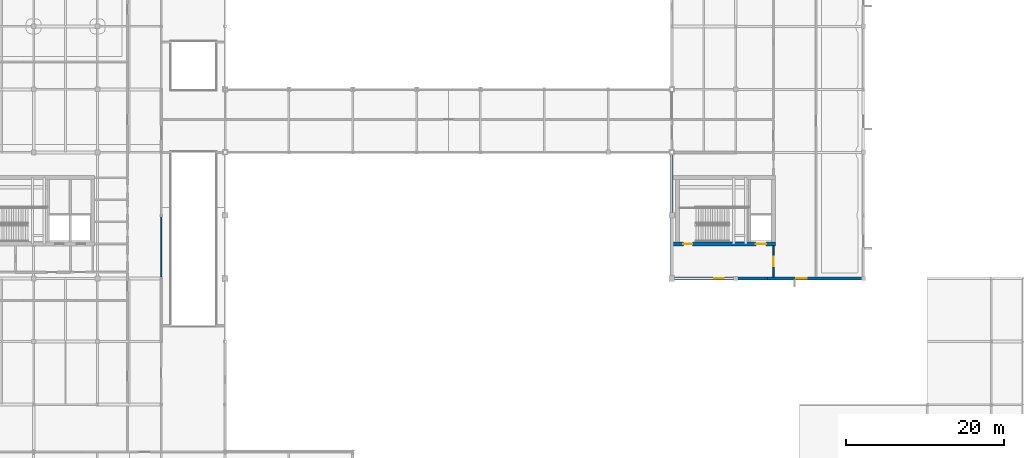
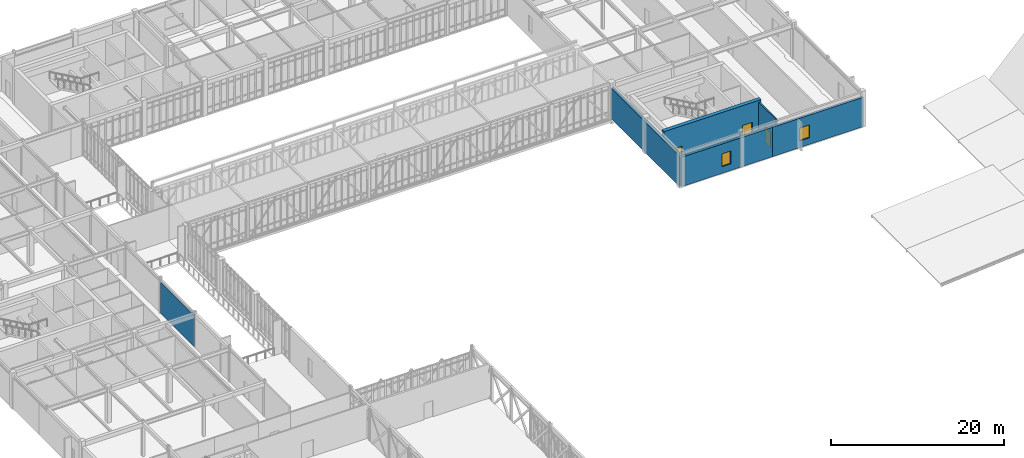
# One storey, part 94 of 107: 6 walls, 3 doors, 2 windows, 5 openings.
"""IFC4 building model written with IfcOpenShell, lengths in metres."""

from ifc_helpers import new_model, si_unit, direction, frame, frame_2d, origin, place, context, subcontext, project, spatial, rectangle, extrude, material, layer, layer_set, type_object, element, fill, save


model = new_model("IFC4")

# Units and contexts
model_context = context("Model", 3, precision=1e-05, world=origin(), true_north=direction((0.0, 1.0)))
body_context = subcontext(model_context, "Body", "Model", "MODEL_VIEW")
ifc_project = project(units=[si_unit("LENGTHUNIT", "METRE"), si_unit("AREAUNIT", "SQUARE_METRE"), si_unit("VOLUMEUNIT", "CUBIC_METRE"), si_unit("PLANEANGLEUNIT", "RADIAN"), si_unit("MASSUNIT", "GRAM", prefix="KILO")], contexts=[model_context])

# Site, building, storey
site_placement = place(None, origin())
site = spatial("IfcSite", under=ifc_project, at=site_placement, CompositionType="ELEMENT")
building_placement = place(site_placement, origin())
building = spatial("IfcBuilding", under=site, at=building_placement, Name="Tarnveldt Square Police Headquarters", CompositionType="ELEMENT")
storey_placement = place(building_placement, frame((0.0, 0.0, 14.699951171875)))
storey = spatial("IfcBuildingStorey", under=building, at=storey_placement, Name="L03", CompositionType="ELEMENT", Elevation=14.699951171875)

# Wall, openings, doors
ifc_material_1 = material(Name="Concrete 50 MPa", Category="concrete")
ifc_layer_1 = layer(ifc_material_1, 0.5)
ifc_layer_set_1 = layer_set([ifc_layer_1], Name="Concrete 50 MPa")
wall_type_1 = type_object("IfcWallType", Name="WL-CORE-500", PredefinedType="SHEAR", material=ifc_layer_set_1)
wall_1_placement = place(storey_placement, frame((105.47998046875, 60.39990234375, 0.0), z_axis=(0.0, 0.0, 1.0), x_axis=(1.0, 0.0, 0.0)))
wall_1 = element("IfcWall", 1, at=wall_1_placement, inside=storey, type_object=wall_type_1, Name="Core K4 East Custody and Tactical Core L03 South Shear Wall", PredefinedType="SHEAR", context=body_context, shape_type="SweptSolid", body=[
    extrude(rectangle(XDim=12.969970703125, YDim=0.5, at=frame_2d((6.48486328125, 0.0))), origin(), (0.0, 0.0, 1.0), 5.10009765625),
])
opening_1_placement = place(wall_1_placement, frame((1.27001953125, 0.0, 0.0)))
opening_1 = element("IfcOpeningElement", 2, at=opening_1_placement, cuts=wall_1, Name="Opening D-ST4-L03", PredefinedType="OPENING", context=body_context, shape_type="SweptSolid", body=[
    extrude(rectangle(XDim=1.14990234375, YDim=2.25, at=frame_2d((0.574951171875, 1.125))), frame((0.0, 0.260009765625, 0.0), z_axis=(0.0, -1.0, 0.0), x_axis=(1.0, 0.0, 0.0)), (0.0, 0.0, 1.0), 0.52001953125),
])
opening_2_placement = place(wall_1_placement, frame((10.47509765625, 0.0, 0.0)))
opening_2 = element("IfcOpeningElement", 3, at=opening_2_placement, cuts=wall_1, Name="Opening LD-LS1-L03", PredefinedType="OPENING", context=body_context, shape_type="SweptSolid", body=[
    extrude(rectangle(XDim=1.300048828125, YDim=2.300048828125, at=frame_2d((0.64990234375, 1.14990234375))), frame((0.0, 0.260009765625, 0.0), z_axis=(0.0, -1.0, 0.0), x_axis=(1.0, 0.0, 0.0)), (0.0, 0.0, 1.0), 0.52001953125),
])
ifc_material_2 = material(Name="Insulated hollow metal steel door leaf", Category="steel")
door_type_1 = type_object("IfcDoorType", Name="DR-FD90-1150", OperationType="NOTDEFINED", PredefinedType="DOOR", material=ifc_material_2)
door_1_placement = place(opening_1_placement, origin())
door_1 = element("IfcDoor", 4, at=door_1_placement, inside=storey, type_object=door_type_1, Name="Exit Stair ST4 L03 Fire Door", OperationType="SINGLE_SWING_LEFT", OverallHeight=2.25, OverallWidth=1.14990234375, PredefinedType="DOOR", context=body_context, shape_type="SweptSolid", body=[
    extrude(rectangle(XDim=1.14990234375, YDim=2.25, at=frame_2d((0.574951171875, 1.125))), frame((0.0, 0.02490234375, 0.0), z_axis=(0.0, -1.0, 0.0), x_axis=(1.0, 0.0, 0.0)), (0.0, 0.0, 1.0), 0.050048828125),
])
fill(opening_1, door_1)
ifc_material_3 = material(Name="Steel 350W", Category="steel")
door_type_2 = type_object("IfcDoorType", Name="DR-LD-1300", OperationType="DOUBLE_DOOR_SLIDING", PredefinedType="DOOR", material=ifc_material_3)
door_2_placement = place(opening_2_placement, frame((1.300048828125, 0.0, 0.0), z_axis=(0.0, 0.0, 1.0), x_axis=(-1.0, 0.0, 0.0)))
door_2 = element("IfcDoor", 5, at=door_2_placement, inside=storey, type_object=door_type_2, Name="Elevator LS1 L03 Sliding Landing Door", OperationType="DOUBLE_DOOR_SLIDING", OverallHeight=2.300048828125, OverallWidth=1.300048828125, PredefinedType="DOOR", context=body_context, shape_type="SweptSolid", body=[
    extrude(rectangle(XDim=1.300048828125, YDim=2.300048828125, at=frame_2d((0.64990234375, 1.14990234375))), frame((0.0, 0.02490234375, 0.0), z_axis=(0.0, -1.0, 0.0), x_axis=(1.0, 0.0, 0.0)), (0.0, 0.0, 1.0), 0.050048828125),
])
fill(opening_2, door_2)

# Wall
ifc_material_4 = material(Name="Concrete 40 MPa", Category="concrete")
ifc_layer_2 = layer(ifc_material_4, 0.320068359375)
ifc_layer_set_2 = layer_set([ifc_layer_2], Name="Concrete 40 MPa")
wall_type_2 = type_object("IfcWallType", Name="WL-EXT-BH320", PredefinedType="SOLIDWALL", material=ifc_layer_set_2)
wall_2_placement = place(storey_placement, frame((105.300048828125, 71.820068359375, 0.0), z_axis=(0.0, 0.0, 1.0), x_axis=(0.0, -1.0, 0.0)))
element("IfcWall", 6, at=wall_2_placement, inside=storey, type_object=wall_type_2, Name="L03 Brutalist Exterior Wall 0162", PredefinedType="SOLIDWALL", context=body_context, shape_type="SweptSolid", body=[
    extrude(rectangle(XDim=15.820068359375, YDim=0.320068359375, at=frame_2d((7.91015625, 0.0))), origin(), (0.0, 0.0, 1.0), 4.33203125),
])

# Wall, opening, window
wall_3_placement = place(storey_placement, frame((105.300048828125, 56.0, 0.0), z_axis=(0.0, 0.0, 1.0), x_axis=(1.0, 0.0, 0.0)))
wall_3 = element("IfcWall", 7, at=wall_3_placement, inside=storey, type_object=wall_type_2, Name="L03 Brutalist Exterior Wall 0163", PredefinedType="SOLIDWALL", context=body_context, shape_type="SweptSolid", body=[
    extrude(rectangle(XDim=12.14990234375, YDim=0.320068359375, at=frame_2d((6.074951171875, 0.0))), origin(), (0.0, 0.0, 1.0), 4.14404296875),
])
opening_3_placement = place(wall_3_placement, frame((5.39990234375, 0.0, 0.949951171875)))
opening_3 = element("IfcOpeningElement", 8, at=opening_3_placement, cuts=wall_3, Name="Opening W04", PredefinedType="OPENING", context=body_context, shape_type="SweptSolid", body=[
    extrude(rectangle(XDim=1.199951171875, YDim=1.800048828125, at=frame_2d((0.60009765625, 0.89990234375))), frame((0.0, 0.169921875, 0.0), z_axis=(0.0, -1.0, 0.0), x_axis=(1.0, 0.0, 0.0)), (0.0, 0.0, 1.0), 0.340087890625),
])
ifc_material_5 = material(Name="Triple-glazed low-e laminated vision glass", Category="glass")
window_type_1 = type_object("IfcWindowType", Name="WIN-DR-120x180", PartitioningType="SINGLE_PANEL", PredefinedType="WINDOW", material=ifc_material_5)
window_1_placement = place(opening_3_placement, origin())
window_1 = element("IfcWindow", 9, at=window_1_placement, inside=storey, type_object=window_type_1, Name="L03 Deep-Reveal Brutalist Window 0076", OverallHeight=1.800048828125, OverallWidth=1.199951171875, PartitioningType="SINGLE_PANEL", PredefinedType="WINDOW", context=body_context, shape_type="SweptSolid", body=[
    extrude(rectangle(XDim=1.199951171875, YDim=1.800048828125, at=frame_2d((0.60009765625, 0.89990234375))), frame((0.0, 0.030029296875, 0.0), z_axis=(0.0, -1.0, 0.0), x_axis=(1.0, 0.0, 0.0)), (0.0, 0.0, 1.0), 0.06005859375),
])
fill(opening_3, window_1)

wall_4_placement = place(storey_placement, frame((117.449951171875, 56.0, 0.0), z_axis=(0.0, 0.0, 1.0), x_axis=(1.0, 0.0, 0.0)))
wall_4 = element("IfcWall", 10, at=wall_4_placement, inside=storey, type_object=wall_type_2, Name="L03 Brutalist Exterior Wall 0164", PredefinedType="SOLIDWALL", context=body_context, shape_type="SweptSolid", body=[
    extrude(rectangle(XDim=12.150146484375, YDim=0.320068359375, at=frame_2d((6.0751953125, 0.0))), origin(), (0.0, 0.0, 1.0), 4.14404296875),
])
opening_4_placement = place(wall_4_placement, frame((3.60009765625, 0.0, 0.949951171875)))
opening_4 = element("IfcOpeningElement", 11, at=opening_4_placement, cuts=wall_4, Name="Opening W05", PredefinedType="OPENING", context=body_context, shape_type="SweptSolid", body=[
    extrude(rectangle(XDim=1.35009765625, YDim=1.800048828125, at=frame_2d((0.675048828125, 0.89990234375))), frame((0.0, 0.169921875, 0.0), z_axis=(0.0, -1.0, 0.0), x_axis=(1.0, 0.0, 0.0)), (0.0, 0.0, 1.0), 0.340087890625),
])
window_type_2 = type_object("IfcWindowType", Name="WIN-DR-135x180", PartitioningType="DOUBLE_PANEL_VERTICAL", PredefinedType="WINDOW", material=ifc_material_5)
window_2_placement = place(opening_4_placement, origin())
window_2 = element("IfcWindow", 12, at=window_2_placement, inside=storey, type_object=window_type_2, Name="L03 Deep-Reveal Brutalist Window 0077", OverallHeight=1.800048828125, OverallWidth=1.35009765625, PartitioningType="DOUBLE_PANEL_VERTICAL", PredefinedType="WINDOW", context=body_context, shape_type="SweptSolid", body=[
    extrude(rectangle(XDim=1.35009765625, YDim=1.800048828125, at=frame_2d((0.675048828125, 0.89990234375))), frame((0.0, 0.030029296875, 0.0), z_axis=(0.0, -1.0, 0.0), x_axis=(1.0, 0.0, 0.0)), (0.0, 0.0, 1.0), 0.06005859375),
])
fill(opening_4, window_2)

# Wall
ifc_material_6 = material(Name="Fire-rated Type X gypsum board on steel studs", Category="steel")
ifc_layer_3 = layer(ifc_material_6, 0.179931640625)
ifc_layer_set_3 = layer_set([ifc_layer_3], Name="Fire-rated Type X gypsum board on steel studs")
wall_type_3 = type_object("IfcWallType", Name="WL-FIRE-180", PredefinedType="PARTITIONING", material=ifc_layer_set_3)
wall_5_placement = place(storey_placement, frame((40.5, 56.160400390625, 0.0), z_axis=(0.0, 0.0, 1.0), x_axis=(0.0, 1.0, 0.0)))
element("IfcWall", 13, at=wall_5_placement, inside=storey, type_object=wall_type_3, Name="L03 Interior Partition Wall 0504", PredefinedType="PARTITIONING", context=body_context, shape_type="SweptSolid", body=[
    extrude(rectangle(XDim=7.67919921875, YDim=0.179931640625, at=frame_2d((3.839599609375, 0.0))), origin(), (0.0, 0.0, 1.0), 4.369140625),
])

# Wall, opening, door
wall_6_placement = place(storey_placement, frame((118.199951171875, 56.16796875, 0.0), z_axis=(0.0, 0.0, 1.0), x_axis=(0.0, 1.0, 0.0)))
wall_6 = element("IfcWall", 14, at=wall_6_placement, inside=storey, type_object=wall_type_3, Name="L03 Interior Partition Wall 0529", PredefinedType="PARTITIONING", context=body_context, shape_type="SweptSolid", body=[
    extrude(rectangle(XDim=3.97412109375, YDim=0.179931640625, at=frame_2d((1.987060546875, 0.0))), origin(), (0.0, 0.0, 1.0), 4.840087890625),
])
opening_5_placement = place(wall_6_placement, frame((1.386962890625, 0.0, 0.0)))
opening_5 = element("IfcOpeningElement", 15, at=opening_5_placement, cuts=wall_6, Name="Opening D16", PredefinedType="OPENING", context=body_context, shape_type="SweptSolid", body=[
    extrude(rectangle(XDim=1.199951171875, YDim=2.199951171875, at=frame_2d((0.60009765625, 1.10009765625))), frame((0.0, 0.099853515625, 0.0), z_axis=(0.0, -1.0, 0.0), x_axis=(1.0, 0.0, 0.0)), (0.0, 0.0, 1.0), 0.199951171875),
])
door_type_3 = type_object("IfcDoorType", Name="DR-FD60-1200", OperationType="NOTDEFINED", PredefinedType="DOOR", material=ifc_material_2)
door_3_placement = place(opening_5_placement, frame((1.199951171875, 0.0, 0.0), z_axis=(0.0, 0.0, 1.0), x_axis=(-1.0, 0.0, 0.0)))
door_3 = element("IfcDoor", 16, at=door_3_placement, inside=storey, type_object=door_type_3, Name="Core Lift Lobby K4-L03 Door", OperationType="SINGLE_SWING_RIGHT", OverallHeight=2.199951171875, OverallWidth=1.199951171875, PredefinedType="DOOR", context=body_context, shape_type="SweptSolid", body=[
    extrude(rectangle(XDim=1.199951171875, YDim=2.199951171875, at=frame_2d((0.60009765625, 1.10009765625))), frame((0.0, 0.02490234375, 0.0), z_axis=(0.0, -1.0, 0.0), x_axis=(1.0, 0.0, 0.0)), (0.0, 0.0, 1.0), 0.050048828125),
])
fill(opening_5, door_3)

save(model, "model.ifc")
